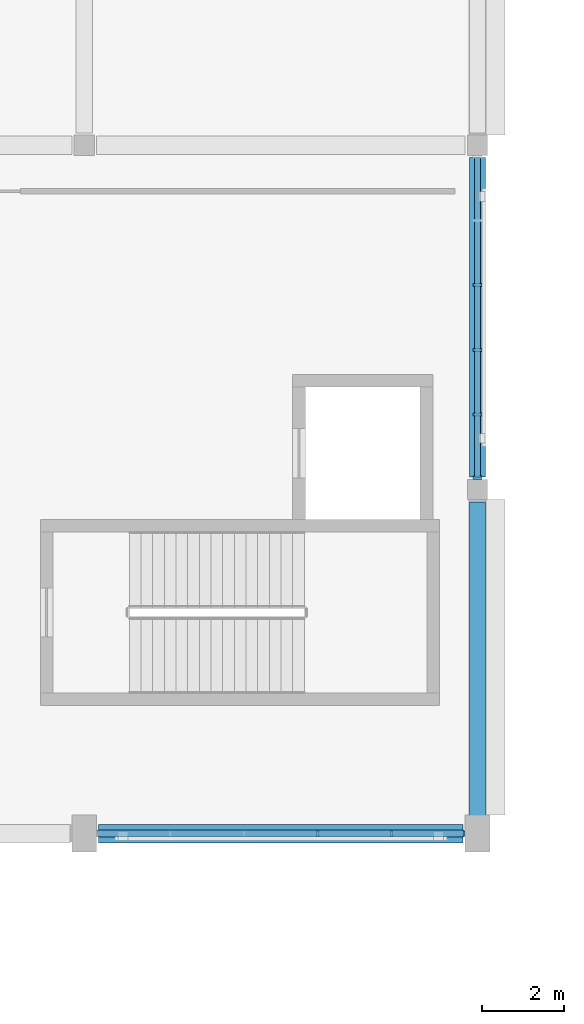
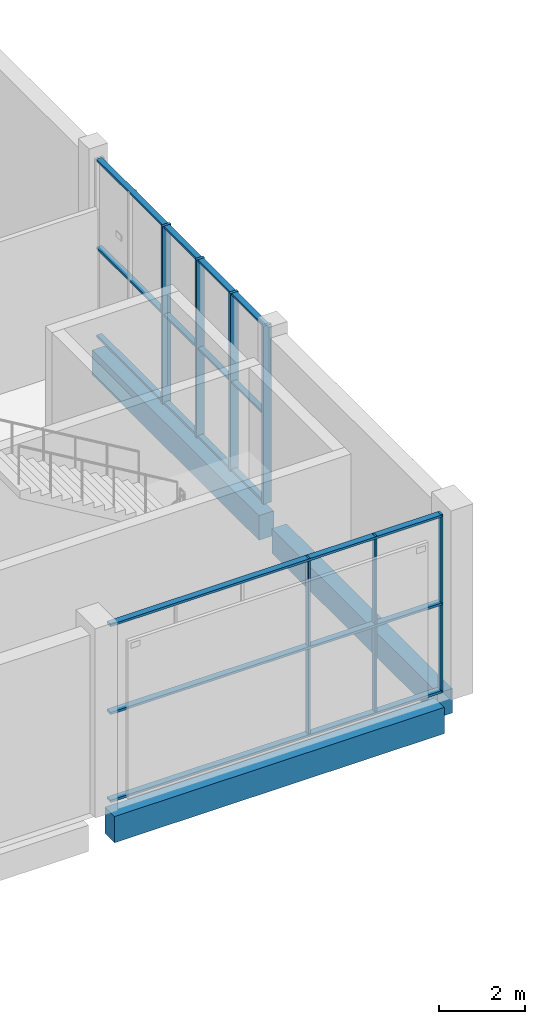
# One storey, part 34 of 83: 13 members, 3 beams, 2 elements without a shape of their own.
"""IFC4 building model written with IfcOpenShell, lengths in metres."""

from ifc_helpers import new_model, si_unit, direction, frame, origin, origin_2d, place, context, subcontext, project, spatial, rectangle, extrude, material, material_profile, profile_set, type_object, element, aggregate, save


model = new_model("IFC4")

# Units and contexts
model_context = context("Model", 3, precision=1e-05, world=origin(), true_north=direction((0.0, 1.0)))
body_context = subcontext(model_context, "Body", "Model", "MODEL_VIEW")
ifc_project = project(units=[si_unit("LENGTHUNIT", "METRE"), si_unit("AREAUNIT", "SQUARE_METRE"), si_unit("VOLUMEUNIT", "CUBIC_METRE"), si_unit("PLANEANGLEUNIT", "RADIAN"), si_unit("MASSUNIT", "GRAM", prefix="KILO")], contexts=[model_context])

# Site, building, storey
site_placement = place(None, origin())
site = spatial("IfcSite", under=ifc_project, at=site_placement, CompositionType="ELEMENT")
building_placement = place(site_placement, origin())
building = spatial("IfcBuilding", under=site, at=building_placement, Name="Shalvenor Court Art Gallery", CompositionType="ELEMENT")
storey_placement = place(building_placement, frame((0.0, 0.0, 6.0)))
storey = spatial("IfcBuildingStorey", under=building, at=storey_placement, Name="L01", CompositionType="ELEMENT", Elevation=6.0)

# Beams
ifc_material_1 = material(Name="Concrete C40/50", Category="concrete")
ifc_material_profile_1 = material_profile(ifc_material_1, rectangle(XDim=0.449951171875, YDim=0.75, at=origin_2d()), Name="RC 450x750")
ifc_profile_set_1 = profile_set([ifc_material_profile_1], Name="Concrete C40/50")
beam_type_1 = type_object("IfcBeamType", Name="B-04", PredefinedType="BEAM", material=ifc_profile_set_1)
beam_1_placement = place(storey_placement, frame((115.550048828125, 97.199951171875, -0.695068359375), z_axis=(1.0, 0.0, 0.0), x_axis=(0.0, 1.0, 0.0)))
element("IfcBeam", 1, at=beam_1_placement, inside=storey, type_object=beam_type_1, Name="L01 Girder BM-L01-B-04-0589", PredefinedType="BEAM", context=body_context, shape_type="SweptSolid", body=[
    extrude(rectangle(XDim=0.449951171875, YDim=0.75, at=origin_2d()), origin(), (0.0, 0.0, 1.0), 8.89990234375),
])
ifc_material_2 = material(Name="Concrete C40/50", Category="concrete")
ifc_material_profile_2 = material_profile(ifc_material_2, rectangle(XDim=0.39990234375, YDim=0.699951171875, at=origin_2d()), Name="RC 400x700")
ifc_profile_set_2 = profile_set([ifc_material_profile_2], Name="Concrete C40/50")
beam_type_2 = type_object("IfcBeamType", Name="B-05", PredefinedType="BEAM", material=ifc_profile_set_2)
beam_2_placement = place(storey_placement, frame((124.800048828125, 97.550048828125, -0.669921875), z_axis=(0.0, 1.0, 0.0), x_axis=(-1.0, 0.0, 0.0)))
element("IfcBeam", 2, at=beam_2_placement, inside=storey, type_object=beam_type_2, Name="L01 Girder BM-L01-B-05-0451", PredefinedType="BEAM", context=body_context, shape_type="SweptSolid", body=[
    extrude(rectangle(XDim=0.39990234375, YDim=0.699951171875, at=origin_2d()), origin(), (0.0, 0.0, 1.0), 7.75),
])
beam_3_placement = place(storey_placement, frame((124.800048828125, 105.89990234375, -0.669921875), z_axis=(0.0, 1.0, 0.0), x_axis=(-1.0, 0.0, 0.0)))
element("IfcBeam", 3, at=beam_3_placement, inside=storey, type_object=beam_type_2, Name="L01 Girder BM-L01-B-05-0452", PredefinedType="BEAM", context=body_context, shape_type="SweptSolid", body=[
    extrude(rectangle(XDim=0.39990234375, YDim=0.699951171875, at=origin_2d()), origin(), (0.0, 0.0, 1.0), 7.800048828125),
])

# Curtain wall, members
ifc_material_3 = material(Name="Anodised aluminium and low-iron glass curtain wall", Category="aluminium")
curtain_wall_type_1 = type_object("IfcCurtainWallType", Name="CW-5x2-79-51-412", PredefinedType="USERDEFINED", material=ifc_material_3)
curtain_wall_1_placement = place(storey_placement, origin())
curtain_wall_1 = element("IfcCurtainWall", 4, at=curtain_wall_1_placement, inside=storey, type_object=curtain_wall_type_1, Name="L01 V2 Curtain Wall CW-L01-066", ObjectType="CURTAIN WALL", PredefinedType="USERDEFINED")
ifc_material_4 = material(Name="Anodised aluminium mullion", Category="aluminium")
ifc_material_profile_3 = material_profile(ifc_material_4, rectangle(XDim=0.074951171875, YDim=0.219970703125, at=origin_2d()), Name="CWM-04")
ifc_profile_set_3 = profile_set([ifc_material_profile_3], Name="Anodised aluminium mullion")
member_type_1 = type_object("IfcMemberType", Name="CWM-04", PredefinedType="MULLION", material=ifc_profile_set_3)
member_1_placement = place(storey_placement, frame((124.800048828125, 110.590087890625, 0.0), z_axis=(0.0, 0.0, 1.0), x_axis=(0.0, -1.0, 0.0)))
member_1 = element("IfcMember", 5, at=member_1_placement, type_object=member_type_1, Name="CW-5x2-79-51-412 mullion 3", PredefinedType="MULLION", context=body_context, shape_type="SweptSolid", body=[
    extrude(rectangle(XDim=0.074951171875, YDim=0.219970703125, at=origin_2d()), origin(), (0.0, 0.0, 1.0), 5.080078125),
])
member_2_placement = place(storey_placement, frame((124.800048828125, 109.010009765625, 0.0), z_axis=(0.0, 0.0, 1.0), x_axis=(0.0, -1.0, 0.0)))
member_2 = element("IfcMember", 6, at=member_2_placement, type_object=member_type_1, Name="CW-5x2-79-51-412 mullion 4", PredefinedType="MULLION", context=body_context, shape_type="SweptSolid", body=[
    extrude(rectangle(XDim=0.074951171875, YDim=0.219970703125, at=origin_2d()), origin(), (0.0, 0.0, 1.0), 5.080078125),
])
member_3_placement = place(storey_placement, frame((124.800048828125, 107.429931640625, 0.0), z_axis=(0.0, 0.0, 1.0), x_axis=(0.0, -1.0, 0.0)))
member_3 = element("IfcMember", 7, at=member_3_placement, type_object=member_type_1, Name="CW-5x2-79-51-412 mullion 5", PredefinedType="MULLION", context=body_context, shape_type="SweptSolid", body=[
    extrude(rectangle(XDim=0.074951171875, YDim=0.219970703125, at=origin_2d()), origin(), (0.0, 0.0, 1.0), 5.080078125),
])
member_4_placement = place(storey_placement, frame((124.800048828125, 105.887451171875, 0.0), z_axis=(0.0, 0.0, 1.0), x_axis=(0.0, -1.0, 0.0)))
member_4 = element("IfcMember", 8, at=member_4_placement, type_object=member_type_1, Name="CW-5x2-79-51-412 mullion 6", PredefinedType="MULLION", context=body_context, shape_type="SweptSolid", body=[
    extrude(rectangle(XDim=0.074951171875, YDim=0.219970703125, at=origin_2d()), origin(), (0.0, 0.0, 1.0), 5.080078125),
])

ifc_material_5 = material(Name="Anodised aluminium and low-iron glass curtain wall", Category="aluminium")
curtain_wall_type_2 = type_object("IfcCurtainWallType", Name="CW-5x2-90-51-622", PredefinedType="USERDEFINED", material=ifc_material_5)
curtain_wall_2_placement = place(storey_placement, origin())
curtain_wall_2 = element("IfcCurtainWall", 9, at=curtain_wall_2_placement, inside=storey, type_object=curtain_wall_type_2, Name="L01 V2 Curtain Wall CW-L01-067", ObjectType="CURTAIN WALL", PredefinedType="USERDEFINED")
ifc_material_6 = material(Name="Anodised aluminium mullion", Category="aluminium")
ifc_material_profile_4 = material_profile(ifc_material_6, rectangle(XDim=0.054931640625, YDim=0.139892578125, at=origin_2d()), Name="CWM-06")
ifc_profile_set_4 = profile_set([ifc_material_profile_4], Name="Anodised aluminium mullion")
member_type_2 = type_object("IfcMemberType", Name="CWM-06", PredefinedType="MULLION", material=ifc_profile_set_4)
member_5_placement = place(storey_placement, frame((124.472412109375, 97.199951171875, 0.0), z_axis=(0.0, 0.0, 1.0), x_axis=(-1.0, 0.0, 0.0)))
member_5 = element("IfcMember", 10, at=member_5_placement, type_object=member_type_2, Name="CW-5x2-90-51-622 mullion 1", PredefinedType="MULLION", context=body_context, shape_type="SweptSolid", body=[
    extrude(rectangle(XDim=0.054931640625, YDim=0.139892578125, at=origin_2d()), origin(), (0.0, 0.0, 1.0), 5.080078125),
])
member_6_placement = place(storey_placement, frame((122.699951171875, 97.199951171875, 0.0), z_axis=(0.0, 0.0, 1.0), x_axis=(-1.0, 0.0, 0.0)))
member_6 = element("IfcMember", 11, at=member_6_placement, type_object=member_type_2, Name="CW-5x2-90-51-622 mullion 2", PredefinedType="MULLION", context=body_context, shape_type="SweptSolid", body=[
    extrude(rectangle(XDim=0.054931640625, YDim=0.139892578125, at=origin_2d()), origin(), (0.0, 0.0, 1.0), 5.080078125),
])
member_7_placement = place(storey_placement, frame((120.89990234375, 97.199951171875, 0.0), z_axis=(0.0, 0.0, 1.0), x_axis=(-1.0, 0.0, 0.0)))
member_7 = element("IfcMember", 12, at=member_7_placement, type_object=member_type_2, Name="CW-5x2-90-51-622 mullion 3", PredefinedType="MULLION", context=body_context, shape_type="SweptSolid", body=[
    extrude(rectangle(XDim=0.054931640625, YDim=0.139892578125, at=origin_2d()), origin(), (0.0, 0.0, 1.0), 5.080078125),
])

# Member
ifc_material_7 = material(Name="Anodised aluminium transom", Category="aluminium")
ifc_material_profile_5 = material_profile(ifc_material_7, rectangle(XDim=0.14990234375, YDim=0.06005859375, at=origin_2d()), Name="CWT-01")
ifc_profile_set_5 = profile_set([ifc_material_profile_5], Name="Anodised aluminium transom")
member_type_3 = type_object("IfcMemberType", Name="CWT-01", PredefinedType="USERDEFINED", material=ifc_profile_set_5)
member_8_placement = place(storey_placement, frame((124.800048828125, 113.71240234375, 0.030029296875), z_axis=(0.0, -1.0, 0.0), x_axis=(1.0, 0.0, 0.0)))
member_8 = element("IfcMember", 13, at=member_8_placement, type_object=member_type_3, Name="CW-5x2-79-51-412 transom 1", ObjectType="TRANSOM", PredefinedType="USERDEFINED", context=body_context, shape_type="SweptSolid", body=[
    extrude(rectangle(XDim=0.14990234375, YDim=0.06005859375, at=origin_2d()), origin(), (0.0, 0.0, 1.0), 7.824951171875),
])

member_9_placement = place(storey_placement, frame((124.800048828125, 113.71240234375, 2.5400390625), z_axis=(0.0, -1.0, 0.0), x_axis=(1.0, 0.0, 0.0)))
member_9 = element("IfcMember", 14, at=member_9_placement, type_object=member_type_3, Name="CW-5x2-79-51-412 transom 2", ObjectType="TRANSOM", PredefinedType="USERDEFINED", context=body_context, shape_type="SweptSolid", body=[
    extrude(rectangle(XDim=0.14990234375, YDim=0.06005859375, at=origin_2d()), origin(), (0.0, 0.0, 1.0), 7.824951171875),
])

member_10_placement = place(storey_placement, frame((124.800048828125, 113.71240234375, 5.050048828125), z_axis=(0.0, -1.0, 0.0), x_axis=(1.0, 0.0, 0.0)))
member_10 = element("IfcMember", 15, at=member_10_placement, type_object=member_type_3, Name="CW-5x2-79-51-412 transom 3", ObjectType="TRANSOM", PredefinedType="USERDEFINED", context=body_context, shape_type="SweptSolid", body=[
    extrude(rectangle(XDim=0.14990234375, YDim=0.06005859375, at=origin_2d()), origin(), (0.0, 0.0, 1.0), 7.824951171875),
])

aggregate(curtain_wall_1, [member_1, member_2, member_3, member_4, member_8, member_9, member_10])

ifc_material_8 = material(Name="Anodised aluminium transom", Category="aluminium")
ifc_material_profile_6 = material_profile(ifc_material_8, rectangle(XDim=0.169921875, YDim=0.06494140625, at=origin_2d()), Name="CWT-02")
ifc_profile_set_6 = profile_set([ifc_material_profile_6], Name="Anodised aluminium transom")
member_type_4 = type_object("IfcMemberType", Name="CWT-02", PredefinedType="USERDEFINED", material=ifc_profile_set_6)
member_11_placement = place(storey_placement, frame((124.472412109375, 97.199951171875, 0.032470703125), z_axis=(-1.0, 0.0, 0.0), x_axis=(0.0, -1.0, 0.0)))
member_11 = element("IfcMember", 16, at=member_11_placement, type_object=member_type_4, Name="CW-5x2-90-51-622 transom 1", ObjectType="TRANSOM", PredefinedType="USERDEFINED", context=body_context, shape_type="SweptSolid", body=[
    extrude(rectangle(XDim=0.169921875, YDim=0.06494140625, at=origin_2d()), origin(), (0.0, 0.0, 1.0), 8.94482421875),
])

member_12_placement = place(storey_placement, frame((124.472412109375, 97.199951171875, 2.5400390625), z_axis=(-1.0, 0.0, 0.0), x_axis=(0.0, -1.0, 0.0)))
member_12 = element("IfcMember", 17, at=member_12_placement, type_object=member_type_4, Name="CW-5x2-90-51-622 transom 2", ObjectType="TRANSOM", PredefinedType="USERDEFINED", context=body_context, shape_type="SweptSolid", body=[
    extrude(rectangle(XDim=0.169921875, YDim=0.06494140625, at=origin_2d()), origin(), (0.0, 0.0, 1.0), 8.94482421875),
])

member_13_placement = place(storey_placement, frame((124.472412109375, 97.199951171875, 5.047607421875), z_axis=(-1.0, 0.0, 0.0), x_axis=(0.0, -1.0, 0.0)))
member_13 = element("IfcMember", 18, at=member_13_placement, type_object=member_type_4, Name="CW-5x2-90-51-622 transom 3", ObjectType="TRANSOM", PredefinedType="USERDEFINED", context=body_context, shape_type="SweptSolid", body=[
    extrude(rectangle(XDim=0.169921875, YDim=0.06494140625, at=origin_2d()), origin(), (0.0, 0.0, 1.0), 8.94482421875),
])

aggregate(curtain_wall_2, [member_5, member_6, member_7, member_11, member_12, member_13])

save(model, "model.ifc")
